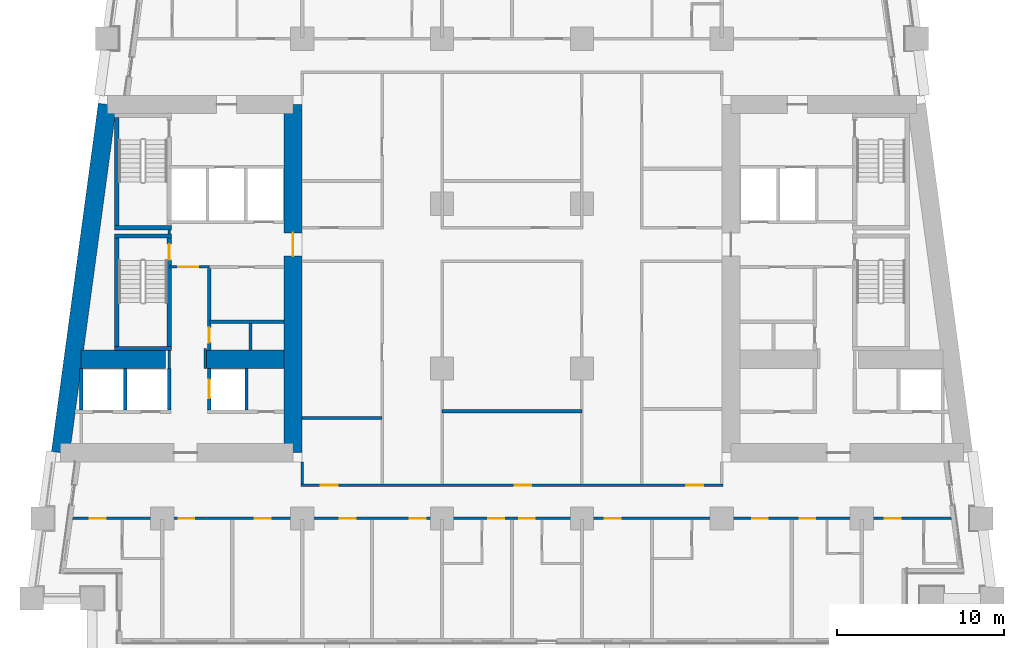
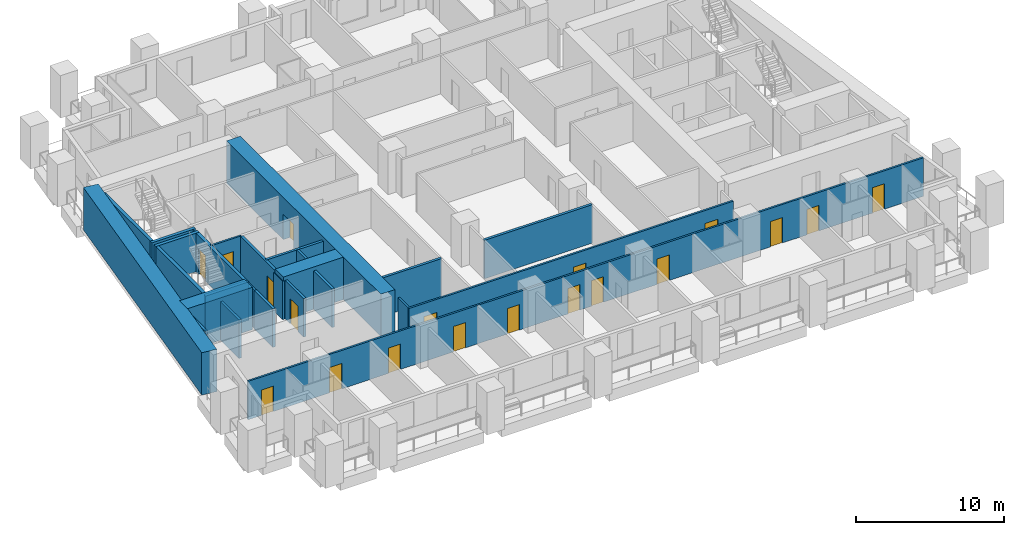
# One storey, part 3 of 12: 27 walls, 19 doors, 19 openings.
"""IFC4 building model written with IfcOpenShell, lengths in metres."""

from ifc_helpers import new_model, si_unit, direction, frame, frame_2d, origin, place, context, subcontext, project, spatial, rectangle, extrude, material, layer, layer_set, type_object, element, fill, save


model = new_model("IFC4")

# Units and contexts
model_context = context("Model", 3, precision=1e-05, world=origin(), true_north=direction((0.0, 1.0)))
body_context = subcontext(model_context, "Body", "Model", "MODEL_VIEW")
ifc_project = project(units=[si_unit("LENGTHUNIT", "METRE"), si_unit("AREAUNIT", "SQUARE_METRE"), si_unit("VOLUMEUNIT", "CUBIC_METRE"), si_unit("PLANEANGLEUNIT", "RADIAN"), si_unit("MASSUNIT", "GRAM", prefix="KILO")], contexts=[model_context])

# Site, building, storey
site_placement = place(None, origin())
site = spatial("IfcSite", under=ifc_project, at=site_placement, CompositionType="ELEMENT")
building_placement = place(site_placement, origin())
building = spatial("IfcBuilding", under=site, at=building_placement, Name="Candeia Pilgrim Tower and Theatre", CompositionType="ELEMENT")
storey_placement = place(building_placement, frame((0.0, 0.0, 46.0)))
storey = spatial("IfcBuildingStorey", under=building, at=storey_placement, Name="L08", CompositionType="ELEMENT", Elevation=46.0)

# Wall, opening, door
ifc_material_1 = material(Name="Concrete C80/95", Category="concrete")
ifc_layer_1 = layer(ifc_material_1, 1.10009765625)
ifc_layer_set_1 = layer_set([ifc_layer_1], Name="Core wall 1100 C80/95")
wall_type_1 = type_object("IfcWallType", Name="Core wall 1100 C80/95", PredefinedType="SHEAR", material=ifc_layer_set_1)
wall_1_placement = place(storey_placement, frame((100.25, 131.85009765625, 0.0), z_axis=(0.0, 0.0, 1.0), x_axis=(0.0, -1.0, 0.0)))
wall_1 = element("IfcWall", 1, at=wall_1_placement, inside=storey, type_object=wall_type_1, Name="Core wall W2", PredefinedType="SHEAR", context=body_context, shape_type="SweptSolid", body=[
    extrude(rectangle(XDim=20.900146484375, YDim=1.10009765625, at=frame_2d((10.4501953125, 0.0))), origin(), (0.0, 0.0, 1.0), 3.5),
])
opening_1_placement = place(wall_1_placement, frame((7.699951171875, 0.0, 0.0)))
opening_1 = element("IfcOpeningElement", 2, at=opening_1_placement, cuts=wall_1, Name="Opening L08-D055", PredefinedType="OPENING", context=body_context, shape_type="SweptSolid", body=[
    extrude(rectangle(XDim=1.39990234375, YDim=2.10009765625, at=frame_2d((0.699951171875, 1.050048828125))), frame((0.0, 0.56005859375, 0.0), z_axis=(0.0, -1.0, 0.0), x_axis=(1.0, 0.0, 0.0)), (0.0, 0.0, 1.0), 1.1201171875),
])
ifc_material_2 = material(Name="Steel fire door set", Category="steel")
door_type_1 = type_object("IfcDoorType", Name="D-1400-FD60", OperationType="NOTDEFINED", PredefinedType="DOOR", material=ifc_material_2)
door_1_placement = place(opening_1_placement, origin())
door_1 = element("IfcDoor", 3, at=door_1_placement, inside=storey, type_object=door_type_1, Name="Door L08-D055", OperationType="SINGLE_SWING_LEFT", OverallHeight=2.10009765625, OverallWidth=1.39990234375, PredefinedType="DOOR", context=body_context, shape_type="SweptSolid", body=[
    extrude(rectangle(XDim=1.39990234375, YDim=2.10009765625, at=frame_2d((0.699951171875, 1.050048828125))), frame((0.0, 0.02490234375, 0.0), z_axis=(0.0, -1.0, 0.0), x_axis=(1.0, 0.0, 0.0)), (0.0, 0.0, 1.0), 0.050048828125),
])
fill(opening_1, door_1)

# Walls
wall_2_placement = place(storey_placement, frame((86.29833984375, 110.949951171875, 0.0), z_axis=(0.0, 0.0, 1.0), x_axis=(0.133400422634, 0.99106222168, 0.0)))
element("IfcWall", 4, at=wall_2_placement, inside=storey, type_object=wall_type_1, Name="Core wall W4", PredefinedType="SHEAR", context=body_context, shape_type="SweptSolid", body=[
    extrude(rectangle(XDim=21.088623046875, YDim=1.10009765625, at=frame_2d((10.54443359375, 0.0))), origin(), (0.0, 0.0, 1.0), 3.5),
])
wall_3_placement = place(storey_placement, frame((87.523193359375, 116.550048828125, 0.0), z_axis=(0.0, 0.0, 1.0), x_axis=(1.0, 0.0, 0.0)))
element("IfcWall", 5, at=wall_3_placement, inside=storey, type_object=wall_type_1, Name="Core wall W5", PredefinedType="SHEAR", context=body_context, shape_type="SweptSolid", body=[
    extrude(rectangle(XDim=5.076904296875, YDim=1.10009765625, at=frame_2d((2.53857421875, 0.0))), origin(), (0.0, 0.0, 1.0), 3.5),
])
wall_4_placement = place(storey_placement, frame((95.0, 116.550048828125, 0.0), z_axis=(0.0, 0.0, 1.0), x_axis=(1.0, 0.0, 0.0)))
element("IfcWall", 6, at=wall_4_placement, inside=storey, type_object=wall_type_1, Name="Core wall W6", PredefinedType="SHEAR", context=body_context, shape_type="SweptSolid", body=[
    extrude(rectangle(XDim=4.699951171875, YDim=1.10009765625, at=frame_2d((2.35009765625, 0.0))), origin(), (0.0, 0.0, 1.0), 3.5),
])

# Wall, opening, door
ifc_material_3 = material(Name="Gypsum board partition on steel studs", Category="steel")
ifc_layer_2 = layer(ifc_material_3, 0.14990234375)
ifc_layer_set_2 = layer_set([ifc_layer_2], Name="PW-150 lobby wall")
wall_type_2 = type_object("IfcWallType", Name="PW-150 lobby wall", PredefinedType="PARTITIONING", material=ifc_layer_set_2)
wall_5_placement = place(storey_placement, frame((92.826904296875, 122.10009765625, 0.0), z_axis=(0.0, 0.0, 1.0), x_axis=(1.0, 0.0, 0.0)))
wall_5 = element("IfcWall", 7, at=wall_5_placement, inside=storey, type_object=wall_type_2, Name="Lobby wall L08-022", PredefinedType="PARTITIONING", context=body_context, shape_type="SweptSolid", body=[
    extrude(rectangle(XDim=2.400146484375, YDim=0.14990234375, at=frame_2d((1.2001953125, 0.0))), origin(), (0.0, 0.0, 1.0), 3.179931640625),
])
opening_2_placement = place(wall_5_placement, frame((0.550048828125, 0.0, 0.0)))
opening_2 = element("IfcOpeningElement", 8, at=opening_2_placement, cuts=wall_5, Name="Opening L08-D001", PredefinedType="OPENING", context=body_context, shape_type="SweptSolid", body=[
    extrude(rectangle(XDim=1.199951171875, YDim=2.10009765625, at=frame_2d((0.60009765625, 1.050048828125))), frame((0.0, 0.0849609375, 0.0), z_axis=(0.0, -1.0, 0.0), x_axis=(1.0, 0.0, 0.0)), (0.0, 0.0, 1.0), 0.169921875),
])
door_type_2 = type_object("IfcDoorType", Name="D-1200-FD60", OperationType="NOTDEFINED", PredefinedType="DOOR", material=ifc_material_2)
door_2_placement = place(opening_2_placement, origin())
door_2 = element("IfcDoor", 9, at=door_2_placement, inside=storey, type_object=door_type_2, Name="Door L08-D001", OperationType="SINGLE_SWING_LEFT", OverallHeight=2.10009765625, OverallWidth=1.199951171875, PredefinedType="DOOR", context=body_context, shape_type="SweptSolid", body=[
    extrude(rectangle(XDim=1.199951171875, YDim=2.10009765625, at=frame_2d((0.60009765625, 1.050048828125))), frame((0.0, 0.02490234375, 0.0), z_axis=(0.0, -1.0, 0.0), x_axis=(1.0, 0.0, 0.0)), (0.0, 0.0, 1.0), 0.050048828125),
])
fill(opening_2, door_2)

# Walls
wall_6_placement = place(storey_placement, frame((92.826904296875, 116.0, 0.0), z_axis=(0.0, 0.0, 1.0), x_axis=(0.0, 1.0, 0.0)))
element("IfcWall", 10, at=wall_6_placement, inside=storey, type_object=wall_type_2, Name="Lobby wall L08-058", PredefinedType="PARTITIONING", context=body_context, shape_type="SweptSolid", body=[
    extrude(rectangle(XDim=1.070068359375, YDim=0.14990234375, at=frame_2d((0.53515625, 0.0))), origin(), (0.0, 0.0, 1.0), 3.179931640625),
])
wall_7_placement = place(storey_placement, frame((92.826904296875, 124.074951171875, 0.0), z_axis=(0.0, 0.0, 1.0), x_axis=(0.0, 1.0, 0.0)))
element("IfcWall", 11, at=wall_7_placement, inside=storey, type_object=wall_type_2, Name="Lobby wall L08-059", PredefinedType="PARTITIONING", context=body_context, shape_type="SweptSolid", body=[
    extrude(rectangle(XDim=0.25, YDim=0.14990234375, at=frame_2d((0.125, 0.0))), origin(), (0.0, 0.0, 1.0), 3.179931640625),
])
wall_8_placement = place(storey_placement, frame((95.0, 116.0, 0.0), z_axis=(0.0, 0.0, 1.0), x_axis=(0.0, 1.0, 0.0)))
element("IfcWall", 12, at=wall_8_placement, inside=storey, type_object=wall_type_2, Name="Lobby wall L08-063", PredefinedType="PARTITIONING", context=body_context, shape_type="SweptSolid", body=[
    extrude(rectangle(XDim=1.199951171875, YDim=0.14990234375, at=frame_2d((0.60009765625, 0.0))), origin(), (0.0, 0.0, 1.0), 3.179931640625),
])

# Wall, openings, doors
ifc_layer_3 = layer(ifc_material_3, 0.14990234375)
ifc_layer_set_3 = layer_set([ifc_layer_3], Name="PW-150 unit wall")
wall_type_3 = type_object("IfcWallType", Name="PW-150 unit wall", PredefinedType="PARTITIONING", material=ifc_layer_set_3)
wall_9_placement = place(storey_placement, frame((87.017578125, 107.0, 0.0), z_axis=(0.0, 0.0, 1.0), x_axis=(1.0, 0.0, 0.0)))
wall_9 = element("IfcWall", 13, at=wall_9_placement, inside=storey, type_object=wall_type_3, Name="Unit wall L08-007", PredefinedType="PARTITIONING", context=body_context, shape_type="SweptSolid", body=[
    extrude(rectangle(XDim=52.7646484375, YDim=0.14990234375, at=frame_2d((26.38232421875, 0.0))), origin(), (0.0, 0.0, 1.0), 3.179931640625),
])
opening_3_placement = place(wall_9_placement, frame((1.0322265625, 0.0, 0.0)))
opening_3 = element("IfcOpeningElement", 14, at=opening_3_placement, cuts=wall_9, Name="Opening L08-D014", PredefinedType="OPENING", context=body_context, shape_type="SweptSolid", body=[
    extrude(rectangle(XDim=0.949951171875, YDim=2.10009765625, at=frame_2d((0.47509765625, 1.050048828125))), frame((0.0, 0.0849609375, 0.0), z_axis=(0.0, -1.0, 0.0), x_axis=(1.0, 0.0, 0.0)), (0.0, 0.0, 1.0), 0.169921875),
])
opening_4_placement = place(wall_9_placement, frame((6.369384765625, 0.0, 0.0)))
opening_4 = element("IfcOpeningElement", 15, at=opening_4_placement, cuts=wall_9, Name="Opening L08-D016", PredefinedType="OPENING", context=body_context, shape_type="SweptSolid", body=[
    extrude(rectangle(XDim=0.949951171875, YDim=2.10009765625, at=frame_2d((0.47509765625, 1.050048828125))), frame((0.0, 0.0849609375, 0.0), z_axis=(0.0, -1.0, 0.0), x_axis=(1.0, 0.0, 0.0)), (0.0, 0.0, 1.0), 0.169921875),
])
opening_5_placement = place(wall_9_placement, frame((10.952392578125, 0.0, 0.0)))
opening_5 = element("IfcOpeningElement", 16, at=opening_5_placement, cuts=wall_9, Name="Opening L08-D017", PredefinedType="OPENING", context=body_context, shape_type="SweptSolid", body=[
    extrude(rectangle(XDim=0.949951171875, YDim=2.10009765625, at=frame_2d((0.47509765625, 1.050048828125))), frame((0.0, 0.0849609375, 0.0), z_axis=(0.0, -1.0, 0.0), x_axis=(1.0, 0.0, 0.0)), (0.0, 0.0, 1.0), 0.169921875),
])
opening_6_placement = place(wall_9_placement, frame((16.04541015625, 0.0, 0.0)))
opening_6 = element("IfcOpeningElement", 17, at=opening_6_placement, cuts=wall_9, Name="Opening L08-D018", PredefinedType="OPENING", context=body_context, shape_type="SweptSolid", body=[
    extrude(rectangle(XDim=0.949951171875, YDim=2.10009765625, at=frame_2d((0.47509765625, 1.050048828125))), frame((0.0, 0.0849609375, 0.0), z_axis=(0.0, -1.0, 0.0), x_axis=(1.0, 0.0, 0.0)), (0.0, 0.0, 1.0), 0.169921875),
])
opening_7_placement = place(wall_9_placement, frame((20.245361328125, 0.0, 0.0)))
opening_7 = element("IfcOpeningElement", 18, at=opening_7_placement, cuts=wall_9, Name="Opening L08-D019", PredefinedType="OPENING", context=body_context, shape_type="SweptSolid", body=[
    extrude(rectangle(XDim=0.949951171875, YDim=2.10009765625, at=frame_2d((0.47509765625, 1.050048828125))), frame((0.0, 0.0849609375, 0.0), z_axis=(0.0, -1.0, 0.0), x_axis=(1.0, 0.0, 0.0)), (0.0, 0.0, 1.0), 0.169921875),
])
opening_8_placement = place(wall_9_placement, frame((24.96923828125, 0.0, 0.0)))
opening_8 = element("IfcOpeningElement", 19, at=opening_8_placement, cuts=wall_9, Name="Opening L08-D020", PredefinedType="OPENING", context=body_context, shape_type="SweptSolid", body=[
    extrude(rectangle(XDim=0.949951171875, YDim=2.10009765625, at=frame_2d((0.47509765625, 1.050048828125))), frame((0.0, 0.0849609375, 0.0), z_axis=(0.0, -1.0, 0.0), x_axis=(1.0, 0.0, 0.0)), (0.0, 0.0, 1.0), 0.169921875),
])
opening_9_placement = place(wall_9_placement, frame((26.807373046875, 0.0, 0.0)))
opening_9 = element("IfcOpeningElement", 20, at=opening_9_placement, cuts=wall_9, Name="Opening L08-D022", PredefinedType="OPENING", context=body_context, shape_type="SweptSolid", body=[
    extrude(rectangle(XDim=0.949951171875, YDim=2.10009765625, at=frame_2d((0.47509765625, 1.050048828125))), frame((0.0, 0.0849609375, 0.0), z_axis=(0.0, -1.0, 0.0), x_axis=(1.0, 0.0, 0.0)), (0.0, 0.0, 1.0), 0.169921875),
])
opening_10_placement = place(wall_9_placement, frame((31.952392578125, 0.0, 0.0)))
opening_10 = element("IfcOpeningElement", 21, at=opening_10_placement, cuts=wall_9, Name="Opening L08-D024", PredefinedType="OPENING", context=body_context, shape_type="SweptSolid", body=[
    extrude(rectangle(XDim=0.949951171875, YDim=2.10009765625, at=frame_2d((0.47509765625, 1.050048828125))), frame((0.0, 0.0849609375, 0.0), z_axis=(0.0, -1.0, 0.0), x_axis=(1.0, 0.0, 0.0)), (0.0, 0.0, 1.0), 0.169921875),
])
opening_11_placement = place(wall_9_placement, frame((40.79541015625, 0.0, 0.0)))
opening_11 = element("IfcOpeningElement", 22, at=opening_11_placement, cuts=wall_9, Name="Opening L08-D025", PredefinedType="OPENING", context=body_context, shape_type="SweptSolid", body=[
    extrude(rectangle(XDim=0.949951171875, YDim=2.10009765625, at=frame_2d((0.47509765625, 1.050048828125))), frame((0.0, 0.0849609375, 0.0), z_axis=(0.0, -1.0, 0.0), x_axis=(1.0, 0.0, 0.0)), (0.0, 0.0, 1.0), 0.169921875),
])
opening_12_placement = place(wall_9_placement, frame((43.644287109375, 0.0, 0.0)))
opening_12 = element("IfcOpeningElement", 23, at=opening_12_placement, cuts=wall_9, Name="Opening L08-D027", PredefinedType="OPENING", context=body_context, shape_type="SweptSolid", body=[
    extrude(rectangle(XDim=0.949951171875, YDim=2.10009765625, at=frame_2d((0.47509765625, 1.050048828125))), frame((0.0, 0.0849609375, 0.0), z_axis=(0.0, -1.0, 0.0), x_axis=(1.0, 0.0, 0.0)), (0.0, 0.0, 1.0), 0.169921875),
])
opening_13_placement = place(wall_9_placement, frame((48.767333984375, 0.0, 0.0)))
opening_13 = element("IfcOpeningElement", 24, at=opening_13_placement, cuts=wall_9, Name="Opening L08-D029", PredefinedType="OPENING", context=body_context, shape_type="SweptSolid", body=[
    extrude(rectangle(XDim=0.949951171875, YDim=2.10009765625, at=frame_2d((0.47509765625, 1.050048828125))), frame((0.0, 0.0849609375, 0.0), z_axis=(0.0, -1.0, 0.0), x_axis=(1.0, 0.0, 0.0)), (0.0, 0.0, 1.0), 0.169921875),
])
door_type_3 = type_object("IfcDoorType", Name="D-950-FD30S", OperationType="NOTDEFINED", PredefinedType="DOOR", material=ifc_material_2)
door_3_placement = place(opening_3_placement, origin())
door_3 = element("IfcDoor", 25, at=door_3_placement, inside=storey, type_object=door_type_3, Name="Door L08-D014", OperationType="SINGLE_SWING_RIGHT", OverallHeight=2.10009765625, OverallWidth=0.949951171875, PredefinedType="DOOR", context=body_context, shape_type="SweptSolid", body=[
    extrude(rectangle(XDim=0.949951171875, YDim=2.10009765625, at=frame_2d((0.47509765625, 1.050048828125))), frame((0.0, 0.02490234375, 0.0), z_axis=(0.0, -1.0, 0.0), x_axis=(1.0, 0.0, 0.0)), (0.0, 0.0, 1.0), 0.050048828125),
])
fill(opening_3, door_3)
door_4_placement = place(opening_4_placement, origin())
door_4 = element("IfcDoor", 26, at=door_4_placement, inside=storey, type_object=door_type_3, Name="Door L08-D016", OperationType="SINGLE_SWING_RIGHT", OverallHeight=2.10009765625, OverallWidth=0.949951171875, PredefinedType="DOOR", context=body_context, shape_type="SweptSolid", body=[
    extrude(rectangle(XDim=0.949951171875, YDim=2.10009765625, at=frame_2d((0.47509765625, 1.050048828125))), frame((0.0, 0.02490234375, 0.0), z_axis=(0.0, -1.0, 0.0), x_axis=(1.0, 0.0, 0.0)), (0.0, 0.0, 1.0), 0.050048828125),
])
fill(opening_4, door_4)
door_5_placement = place(opening_5_placement, origin())
door_5 = element("IfcDoor", 27, at=door_5_placement, inside=storey, type_object=door_type_3, Name="Door L08-D017", OperationType="SINGLE_SWING_LEFT", OverallHeight=2.10009765625, OverallWidth=0.949951171875, PredefinedType="DOOR", context=body_context, shape_type="SweptSolid", body=[
    extrude(rectangle(XDim=0.949951171875, YDim=2.10009765625, at=frame_2d((0.47509765625, 1.050048828125))), frame((0.0, 0.02490234375, 0.0), z_axis=(0.0, -1.0, 0.0), x_axis=(1.0, 0.0, 0.0)), (0.0, 0.0, 1.0), 0.050048828125),
])
fill(opening_5, door_5)
door_6_placement = place(opening_6_placement, origin())
door_6 = element("IfcDoor", 28, at=door_6_placement, inside=storey, type_object=door_type_3, Name="Door L08-D018", OperationType="SINGLE_SWING_RIGHT", OverallHeight=2.10009765625, OverallWidth=0.949951171875, PredefinedType="DOOR", context=body_context, shape_type="SweptSolid", body=[
    extrude(rectangle(XDim=0.949951171875, YDim=2.10009765625, at=frame_2d((0.47509765625, 1.050048828125))), frame((0.0, 0.02490234375, 0.0), z_axis=(0.0, -1.0, 0.0), x_axis=(1.0, 0.0, 0.0)), (0.0, 0.0, 1.0), 0.050048828125),
])
fill(opening_6, door_6)
door_7_placement = place(opening_7_placement, origin())
door_7 = element("IfcDoor", 29, at=door_7_placement, inside=storey, type_object=door_type_3, Name="Door L08-D019", OperationType="SINGLE_SWING_LEFT", OverallHeight=2.10009765625, OverallWidth=0.949951171875, PredefinedType="DOOR", context=body_context, shape_type="SweptSolid", body=[
    extrude(rectangle(XDim=0.949951171875, YDim=2.10009765625, at=frame_2d((0.47509765625, 1.050048828125))), frame((0.0, 0.02490234375, 0.0), z_axis=(0.0, -1.0, 0.0), x_axis=(1.0, 0.0, 0.0)), (0.0, 0.0, 1.0), 0.050048828125),
])
fill(opening_7, door_7)
door_8_placement = place(opening_8_placement, origin())
door_8 = element("IfcDoor", 30, at=door_8_placement, inside=storey, type_object=door_type_3, Name="Door L08-D020", OperationType="SINGLE_SWING_RIGHT", OverallHeight=2.10009765625, OverallWidth=0.949951171875, PredefinedType="DOOR", context=body_context, shape_type="SweptSolid", body=[
    extrude(rectangle(XDim=0.949951171875, YDim=2.10009765625, at=frame_2d((0.47509765625, 1.050048828125))), frame((0.0, 0.02490234375, 0.0), z_axis=(0.0, -1.0, 0.0), x_axis=(1.0, 0.0, 0.0)), (0.0, 0.0, 1.0), 0.050048828125),
])
fill(opening_8, door_8)
door_9_placement = place(opening_9_placement, origin())
door_9 = element("IfcDoor", 31, at=door_9_placement, inside=storey, type_object=door_type_3, Name="Door L08-D022", OperationType="SINGLE_SWING_RIGHT", OverallHeight=2.10009765625, OverallWidth=0.949951171875, PredefinedType="DOOR", context=body_context, shape_type="SweptSolid", body=[
    extrude(rectangle(XDim=0.949951171875, YDim=2.10009765625, at=frame_2d((0.47509765625, 1.050048828125))), frame((0.0, 0.02490234375, 0.0), z_axis=(0.0, -1.0, 0.0), x_axis=(1.0, 0.0, 0.0)), (0.0, 0.0, 1.0), 0.050048828125),
])
fill(opening_9, door_9)
door_10_placement = place(opening_10_placement, origin())
door_10 = element("IfcDoor", 32, at=door_10_placement, inside=storey, type_object=door_type_3, Name="Door L08-D024", OperationType="SINGLE_SWING_RIGHT", OverallHeight=2.10009765625, OverallWidth=0.949951171875, PredefinedType="DOOR", context=body_context, shape_type="SweptSolid", body=[
    extrude(rectangle(XDim=0.949951171875, YDim=2.10009765625, at=frame_2d((0.47509765625, 1.050048828125))), frame((0.0, 0.02490234375, 0.0), z_axis=(0.0, -1.0, 0.0), x_axis=(1.0, 0.0, 0.0)), (0.0, 0.0, 1.0), 0.050048828125),
])
fill(opening_10, door_10)
door_11_placement = place(opening_11_placement, origin())
door_11 = element("IfcDoor", 33, at=door_11_placement, inside=storey, type_object=door_type_3, Name="Door L08-D025", OperationType="SINGLE_SWING_LEFT", OverallHeight=2.10009765625, OverallWidth=0.949951171875, PredefinedType="DOOR", context=body_context, shape_type="SweptSolid", body=[
    extrude(rectangle(XDim=0.949951171875, YDim=2.10009765625, at=frame_2d((0.47509765625, 1.050048828125))), frame((0.0, 0.02490234375, 0.0), z_axis=(0.0, -1.0, 0.0), x_axis=(1.0, 0.0, 0.0)), (0.0, 0.0, 1.0), 0.050048828125),
])
fill(opening_11, door_11)
door_12_placement = place(opening_12_placement, origin())
door_12 = element("IfcDoor", 34, at=door_12_placement, inside=storey, type_object=door_type_3, Name="Door L08-D027", OperationType="SINGLE_SWING_LEFT", OverallHeight=2.10009765625, OverallWidth=0.949951171875, PredefinedType="DOOR", context=body_context, shape_type="SweptSolid", body=[
    extrude(rectangle(XDim=0.949951171875, YDim=2.10009765625, at=frame_2d((0.47509765625, 1.050048828125))), frame((0.0, 0.02490234375, 0.0), z_axis=(0.0, -1.0, 0.0), x_axis=(1.0, 0.0, 0.0)), (0.0, 0.0, 1.0), 0.050048828125),
])
fill(opening_12, door_12)
door_13_placement = place(opening_13_placement, origin())
door_13 = element("IfcDoor", 35, at=door_13_placement, inside=storey, type_object=door_type_3, Name="Door L08-D029", OperationType="SINGLE_SWING_LEFT", OverallHeight=2.10009765625, OverallWidth=0.949951171875, PredefinedType="DOOR", context=body_context, shape_type="SweptSolid", body=[
    extrude(rectangle(XDim=0.949951171875, YDim=2.10009765625, at=frame_2d((0.47509765625, 1.050048828125))), frame((0.0, 0.02490234375, 0.0), z_axis=(0.0, -1.0, 0.0), x_axis=(1.0, 0.0, 0.0)), (0.0, 0.0, 1.0), 0.050048828125),
])
fill(opening_13, door_13)

wall_10_placement = place(storey_placement, frame((100.72509765625, 109.0, 0.0), z_axis=(0.0, 0.0, 1.0), x_axis=(1.0, 0.0, 0.0)))
wall_10 = element("IfcWall", 36, at=wall_10_placement, inside=storey, type_object=wall_type_3, Name="Unit wall L08-008", PredefinedType="PARTITIONING", context=body_context, shape_type="SweptSolid", body=[
    extrude(rectangle(XDim=25.349853515625, YDim=0.14990234375, at=frame_2d((12.6748046875, 0.0))), origin(), (0.0, 0.0, 1.0), 3.179931640625),
])
opening_14_placement = place(wall_10_placement, frame((1.199951171875, 0.0, 0.0)))
opening_14 = element("IfcOpeningElement", 37, at=opening_14_placement, cuts=wall_10, Name="Opening L08-D041", PredefinedType="OPENING", context=body_context, shape_type="SweptSolid", body=[
    extrude(rectangle(XDim=1.0, YDim=2.10009765625, at=frame_2d((0.5, 1.050048828125))), frame((0.0, 0.0849609375, 0.0), z_axis=(0.0, -1.0, 0.0), x_axis=(1.0, 0.0, 0.0)), (0.0, 0.0, 1.0), 0.169921875),
])
opening_15_placement = place(wall_10_placement, frame((12.844970703125, 0.0, 0.0)))
opening_15 = element("IfcOpeningElement", 38, at=opening_15_placement, cuts=wall_10, Name="Opening L08-D045", PredefinedType="OPENING", context=body_context, shape_type="SweptSolid", body=[
    extrude(rectangle(XDim=1.0, YDim=2.10009765625, at=frame_2d((0.5, 1.050048828125))), frame((0.0, 0.0849609375, 0.0), z_axis=(0.0, -1.0, 0.0), x_axis=(1.0, 0.0, 0.0)), (0.0, 0.0, 1.0), 0.169921875),
])
opening_16_placement = place(wall_10_placement, frame((23.14990234375, 0.0, 0.0)))
opening_16 = element("IfcOpeningElement", 39, at=opening_16_placement, cuts=wall_10, Name="Opening L08-D049", PredefinedType="OPENING", context=body_context, shape_type="SweptSolid", body=[
    extrude(rectangle(XDim=1.0, YDim=2.10009765625, at=frame_2d((0.5, 1.050048828125))), frame((0.0, 0.0849609375, 0.0), z_axis=(0.0, -1.0, 0.0), x_axis=(1.0, 0.0, 0.0)), (0.0, 0.0, 1.0), 0.169921875),
])
door_type_4 = type_object("IfcDoorType", Name="D-1000-FD30S", OperationType="NOTDEFINED", PredefinedType="DOOR", material=ifc_material_2)
door_14_placement = place(opening_14_placement, origin())
door_14 = element("IfcDoor", 40, at=door_14_placement, inside=storey, type_object=door_type_4, Name="Door L08-D041", OperationType="SINGLE_SWING_LEFT", OverallHeight=2.10009765625, OverallWidth=1.0, PredefinedType="DOOR", context=body_context, shape_type="SweptSolid", body=[
    extrude(rectangle(XDim=1.0, YDim=2.10009765625, at=frame_2d((0.5, 1.050048828125))), frame((0.0, 0.02490234375, 0.0), z_axis=(0.0, -1.0, 0.0), x_axis=(1.0, 0.0, 0.0)), (0.0, 0.0, 1.0), 0.050048828125),
])
fill(opening_14, door_14)
door_15_placement = place(opening_15_placement, origin())
door_15 = element("IfcDoor", 41, at=door_15_placement, inside=storey, type_object=door_type_4, Name="Door L08-D045", OperationType="SINGLE_SWING_LEFT", OverallHeight=2.10009765625, OverallWidth=1.0, PredefinedType="DOOR", context=body_context, shape_type="SweptSolid", body=[
    extrude(rectangle(XDim=1.0, YDim=2.10009765625, at=frame_2d((0.5, 1.050048828125))), frame((0.0, 0.02490234375, 0.0), z_axis=(0.0, -1.0, 0.0), x_axis=(1.0, 0.0, 0.0)), (0.0, 0.0, 1.0), 0.050048828125),
])
fill(opening_15, door_15)
door_16_placement = place(opening_16_placement, origin())
door_16 = element("IfcDoor", 42, at=door_16_placement, inside=storey, type_object=door_type_4, Name="Door L08-D049", OperationType="SINGLE_SWING_LEFT", OverallHeight=2.10009765625, OverallWidth=1.0, PredefinedType="DOOR", context=body_context, shape_type="SweptSolid", body=[
    extrude(rectangle(XDim=1.0, YDim=2.10009765625, at=frame_2d((0.5, 1.050048828125))), frame((0.0, 0.02490234375, 0.0), z_axis=(0.0, -1.0, 0.0), x_axis=(1.0, 0.0, 0.0)), (0.0, 0.0, 1.0), 0.050048828125),
])
fill(opening_16, door_16)

# Walls
wall_11_placement = place(storey_placement, frame((100.800048828125, 109.074951171875, 0.0), z_axis=(0.0, 0.0, 1.0), x_axis=(0.0, 1.0, 0.0)))
element("IfcWall", 43, at=wall_11_placement, inside=storey, type_object=wall_type_3, Name="Unit wall L08-074", PredefinedType="PARTITIONING", context=body_context, shape_type="SweptSolid", body=[
    extrude(rectangle(XDim=1.324951171875, YDim=0.14990234375, at=frame_2d((0.66259765625, 0.0))), origin(), (0.0, 0.0, 1.0), 3.179931640625),
])
ifc_layer_4 = layer(ifc_material_3, 0.199951171875)
ifc_layer_set_4 = layer_set([ifc_layer_4], Name="PW-200 party wall")
wall_type_4 = type_object("IfcWallType", Name="PW-200 party wall", PredefinedType="PARTITIONING", material=ifc_layer_set_4)
wall_12_placement = place(storey_placement, frame((100.800048828125, 113.034912109375, 0.0), z_axis=(0.0, 0.0, 1.0), x_axis=(1.0, 0.0, 0.0)))
element("IfcWall", 44, at=wall_12_placement, inside=storey, type_object=wall_type_4, Name="Party wall L08-009", PredefinedType="PARTITIONING", context=body_context, shape_type="SweptSolid", body=[
    extrude(rectangle(XDim=4.800048828125, YDim=0.199951171875, at=frame_2d((2.39990234375, 0.0))), origin(), (0.0, 0.0, 1.0), 3.179931640625),
])
wall_13_placement = place(storey_placement, frame((109.199951171875, 113.4384765625, 0.0), z_axis=(0.0, 0.0, 1.0), x_axis=(1.0, 0.0, 0.0)))
element("IfcWall", 45, at=wall_13_placement, inside=storey, type_object=wall_type_4, Name="Party wall L08-014", PredefinedType="PARTITIONING", context=body_context, shape_type="SweptSolid", body=[
    extrude(rectangle(XDim=8.400146484375, YDim=0.199951171875, at=frame_2d((4.2001953125, 0.0))), origin(), (0.0, 0.0, 1.0), 3.179931640625),
])
ifc_material_4 = material(Name="Concrete C40/50", Category="concrete")
ifc_layer_5 = layer(ifc_material_4, 0.199951171875)
ifc_layer_set_5 = layer_set([ifc_layer_5], Name="SW-200 shaft wall")
wall_type_5 = type_object("IfcWallType", Name="SW-200 shaft wall", PredefinedType="PARTITIONING", material=ifc_layer_set_5)
wall_14_placement = place(storey_placement, frame((95.22705078125, 118.800048828125, 0.0), z_axis=(0.0, 0.0, 1.0), x_axis=(1.0, 0.0, 0.0)))
element("IfcWall", 46, at=wall_14_placement, inside=storey, type_object=wall_type_5, Name="Shaft wall L08-018", PredefinedType="PARTITIONING", context=body_context, shape_type="SweptSolid", body=[
    extrude(rectangle(XDim=4.472900390625, YDim=0.199951171875, at=frame_2d((2.236328125, 0.0))), origin(), (0.0, 0.0, 1.0), 3.179931640625),
])
for number, where, z_axis, x_axis, name in (
    (47, (87.552001953125, 113.5, 0.0), (0.0, 0.0, 1.0), (0.0, 1.0, 0.0), "Shaft wall L08-050"),
    (48, (90.178466796875, 113.5, 0.0), (0.0, 0.0, 1.0), (0.0, 1.0, 0.0), "Shaft wall L08-055"),
    (49, (92.826904296875, 113.5, 0.0), (0.0, 0.0, 1.0), (0.0, 1.0, 0.0), "Shaft wall L08-057"),
):
    element("IfcWall", number, at=place(storey_placement, frame(where, z_axis=z_axis, x_axis=x_axis)), inside=storey, type_object=wall_type_5, Name=name, PredefinedType="PARTITIONING", context=body_context, shape_type="SweptSolid", body=[
        extrude(rectangle(XDim=2.5, YDim=0.199951171875, at=frame_2d((1.25, 0.0))), origin(), (0.0, 0.0, 1.0), 3.179931640625),
    ])

# Wall, opening, door
wall_15_placement = place(storey_placement, frame((95.22705078125, 113.5, 0.0), z_axis=(0.0, 0.0, 1.0), x_axis=(0.0, 1.0, 0.0)))
wall_15 = element("IfcWall", 50, at=wall_15_placement, inside=storey, type_object=wall_type_5, Name="Shaft wall L08-065", PredefinedType="PARTITIONING", context=body_context, shape_type="SweptSolid", body=[
    extrude(rectangle(XDim=2.5, YDim=0.199951171875, at=frame_2d((1.25, 0.0))), origin(), (0.0, 0.0, 1.0), 3.179931640625),
])
opening_17_placement = place(wall_15_placement, frame((0.72998046875, 0.0, 0.0)))
opening_17 = element("IfcOpeningElement", 51, at=opening_17_placement, cuts=wall_15, Name="Opening L08-LD05", PredefinedType="OPENING", context=body_context, shape_type="SweptSolid", body=[
    extrude(rectangle(XDim=1.10009765625, YDim=2.10009765625, at=frame_2d((0.550048828125, 1.050048828125))), frame((0.0, 0.10986328125, 0.0), z_axis=(0.0, -1.0, 0.0), x_axis=(1.0, 0.0, 0.0)), (0.0, 0.0, 1.0), 0.219970703125),
])
ifc_material_5 = material(Name="Glazed aluminium landing door", Category="aluminium")
door_type_5 = type_object("IfcDoorType", Name="LD-1100-EI120", OperationType="SLIDING_TO_LEFT", PredefinedType="DOOR", material=ifc_material_5)
door_17_placement = place(opening_17_placement, origin())
door_17 = element("IfcDoor", 52, at=door_17_placement, inside=storey, type_object=door_type_5, Name="Landing door 05 L08", OperationType="SLIDING_TO_LEFT", OverallHeight=2.10009765625, OverallWidth=1.10009765625, PredefinedType="DOOR", context=body_context, shape_type="SweptSolid", body=[
    extrude(rectangle(XDim=1.10009765625, YDim=2.10009765625, at=frame_2d((0.550048828125, 1.050048828125))), frame((0.0, 0.02490234375, 0.0), z_axis=(0.0, -1.0, 0.0), x_axis=(1.0, 0.0, 0.0)), (0.0, 0.0, 1.0), 0.050048828125),
])
fill(opening_17, door_17)

wall_16_placement = place(storey_placement, frame((95.22705078125, 117.070068359375, 0.0), z_axis=(0.0, 0.0, 1.0), x_axis=(0.0, 1.0, 0.0)))
wall_16 = element("IfcWall", 53, at=wall_16_placement, inside=storey, type_object=wall_type_5, Name="Shaft wall L08-066", PredefinedType="PARTITIONING", context=body_context, shape_type="SweptSolid", body=[
    extrude(rectangle(XDim=4.929931640625, YDim=0.199951171875, at=frame_2d((2.46484375, 0.0))), origin(), (0.0, 0.0, 1.0), 3.179931640625),
])
opening_18_placement = place(wall_16_placement, frame((0.47998046875, 0.0, 0.0)))
opening_18 = element("IfcOpeningElement", 54, at=opening_18_placement, cuts=wall_16, Name="Opening L08-D005", PredefinedType="OPENING", context=body_context, shape_type="SweptSolid", body=[
    extrude(rectangle(XDim=0.89990234375, YDim=2.10009765625, at=frame_2d((0.449951171875, 1.050048828125))), frame((0.0, 0.10986328125, 0.0), z_axis=(0.0, -1.0, 0.0), x_axis=(1.0, 0.0, 0.0)), (0.0, 0.0, 1.0), 0.219970703125),
])
door_type_6 = type_object("IfcDoorType", Name="D-900-FD60", OperationType="NOTDEFINED", PredefinedType="DOOR", material=ifc_material_2)
door_18_placement = place(opening_18_placement, origin())
door_18 = element("IfcDoor", 55, at=door_18_placement, inside=storey, type_object=door_type_6, Name="Door L08-D005", OperationType="SINGLE_SWING_LEFT", OverallHeight=2.10009765625, OverallWidth=0.89990234375, PredefinedType="DOOR", context=body_context, shape_type="SweptSolid", body=[
    extrude(rectangle(XDim=0.89990234375, YDim=2.10009765625, at=frame_2d((0.449951171875, 1.050048828125))), frame((0.0, 0.02490234375, 0.0), z_axis=(0.0, -1.0, 0.0), x_axis=(1.0, 0.0, 0.0)), (0.0, 0.0, 1.0), 0.050048828125),
])
fill(opening_18, door_18)

# Walls
wall_17_placement = place(storey_placement, frame((97.46337890625, 113.5, 0.0), z_axis=(0.0, 0.0, 1.0), x_axis=(0.0, 1.0, 0.0)))
element("IfcWall", 56, at=wall_17_placement, inside=storey, type_object=wall_type_5, Name="Shaft wall L08-070", PredefinedType="PARTITIONING", context=body_context, shape_type="SweptSolid", body=[
    extrude(rectangle(XDim=2.5, YDim=0.199951171875, at=frame_2d((1.25, 0.0))), origin(), (0.0, 0.0, 1.0), 3.179931640625),
])
wall_18_placement = place(storey_placement, frame((97.699951171875, 117.070068359375, 0.0), z_axis=(0.0, 0.0, 1.0), x_axis=(0.0, 1.0, 0.0)))
element("IfcWall", 57, at=wall_18_placement, inside=storey, type_object=wall_type_5, Name="Shaft wall L08-071", PredefinedType="PARTITIONING", context=body_context, shape_type="SweptSolid", body=[
    extrude(rectangle(XDim=1.6298828125, YDim=0.199951171875, at=frame_2d((0.81494140625, 0.0))), origin(), (0.0, 0.0, 1.0), 3.179931640625),
])
ifc_layer_6 = layer(ifc_material_4, 0.25)
ifc_layer_set_6 = layer_set([ifc_layer_6], Name="SW-250 stair wall")
wall_type_6 = type_object("IfcWallType", Name="SW-250 stair wall", PredefinedType="PARTITIONING", material=ifc_layer_set_6)
for number, where, z_axis, x_axis, name in (
    (58, (89.552001953125, 117.199951171875, 0.0), (0.0, 0.0, 1.0), (1.0, 0.0, 0.0), "Stair wall L08-016"),
    (59, (89.552001953125, 123.949951171875, 0.0), (0.0, 0.0, 1.0), (1.0, 0.0, 0.0), "Stair wall L08-027"),
    (60, (89.552001953125, 124.449951171875, 0.0), (0.0, 0.0, 1.0), (1.0, 0.0, 0.0), "Stair wall L08-029"),
):
    element("IfcWall", number, at=place(storey_placement, frame(where, z_axis=z_axis, x_axis=x_axis)), inside=storey, type_object=wall_type_6, Name=name, PredefinedType="PARTITIONING", context=body_context, shape_type="SweptSolid", body=[
        extrude(rectangle(XDim=3.39990234375, YDim=0.25, at=frame_2d((1.699951171875, 0.0))), origin(), (0.0, 0.0, 1.0), 3.179931640625),
    ])
wall_19_placement = place(storey_placement, frame((89.677001953125, 117.070068359375, 0.0), z_axis=(0.0, 0.0, 1.0), x_axis=(0.0, 1.0, 0.0)))
element("IfcWall", 61, at=wall_19_placement, inside=storey, type_object=wall_type_6, Name="Stair wall L08-052", PredefinedType="PARTITIONING", context=body_context, shape_type="SweptSolid", body=[
    extrude(rectangle(XDim=6.7548828125, YDim=0.25, at=frame_2d((3.37744140625, 0.0))), origin(), (0.0, 0.0, 1.0), 3.179931640625),
])
wall_20_placement = place(storey_placement, frame((89.677001953125, 124.574951171875, 0.0), z_axis=(0.0, 0.0, 1.0), x_axis=(0.0, 1.0, 0.0)))
element("IfcWall", 62, at=wall_20_placement, inside=storey, type_object=wall_type_6, Name="Stair wall L08-053", PredefinedType="PARTITIONING", context=body_context, shape_type="SweptSolid", body=[
    extrude(rectangle(XDim=6.5, YDim=0.25, at=frame_2d((3.25, 0.0))), origin(), (0.0, 0.0, 1.0), 3.179931640625),
])

# Wall, opening, door
wall_21_placement = place(storey_placement, frame((92.826904296875, 117.070068359375, 0.0), z_axis=(0.0, 0.0, 1.0), x_axis=(0.0, 1.0, 0.0)))
wall_21 = element("IfcWall", 63, at=wall_21_placement, inside=storey, type_object=wall_type_6, Name="Stair wall L08-060", PredefinedType="PARTITIONING", context=body_context, shape_type="SweptSolid", body=[
    extrude(rectangle(XDim=6.7548828125, YDim=0.25, at=frame_2d((3.37744140625, 0.0))), origin(), (0.0, 0.0, 1.0), 3.179931640625),
])
opening_19_placement = place(wall_21_placement, frame((5.455078125, 0.0, 0.0)))
opening_19 = element("IfcOpeningElement", 64, at=opening_19_placement, cuts=wall_21, Name="Opening L08-D003", PredefinedType="OPENING", context=body_context, shape_type="SweptSolid", body=[
    extrude(rectangle(XDim=0.949951171875, YDim=2.10009765625, at=frame_2d((0.47509765625, 1.050048828125))), frame((0.0, 0.135009765625, 0.0), z_axis=(0.0, -1.0, 0.0), x_axis=(1.0, 0.0, 0.0)), (0.0, 0.0, 1.0), 0.27001953125),
])
door_type_7 = type_object("IfcDoorType", Name="D-950-FD60", OperationType="NOTDEFINED", PredefinedType="DOOR", material=ifc_material_2)
door_19_placement = place(opening_19_placement, origin())
door_19 = element("IfcDoor", 65, at=door_19_placement, inside=storey, type_object=door_type_7, Name="Door L08-D003", OperationType="SINGLE_SWING_LEFT", OverallHeight=2.10009765625, OverallWidth=0.949951171875, PredefinedType="DOOR", context=body_context, shape_type="SweptSolid", body=[
    extrude(rectangle(XDim=0.949951171875, YDim=2.10009765625, at=frame_2d((0.47509765625, 1.050048828125))), frame((0.0, 0.02490234375, 0.0), z_axis=(0.0, -1.0, 0.0), x_axis=(1.0, 0.0, 0.0)), (0.0, 0.0, 1.0), 0.050048828125),
])
fill(opening_19, door_19)

save(model, "model.ifc")
